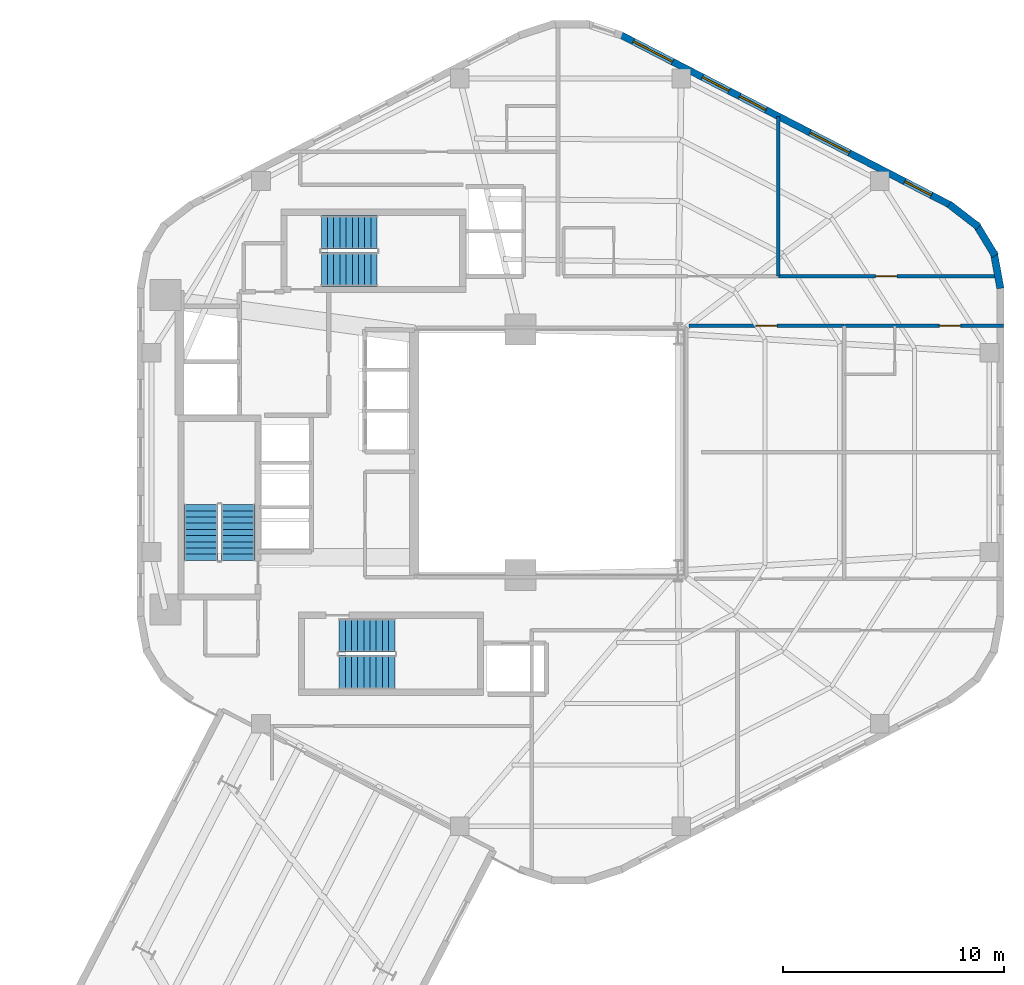
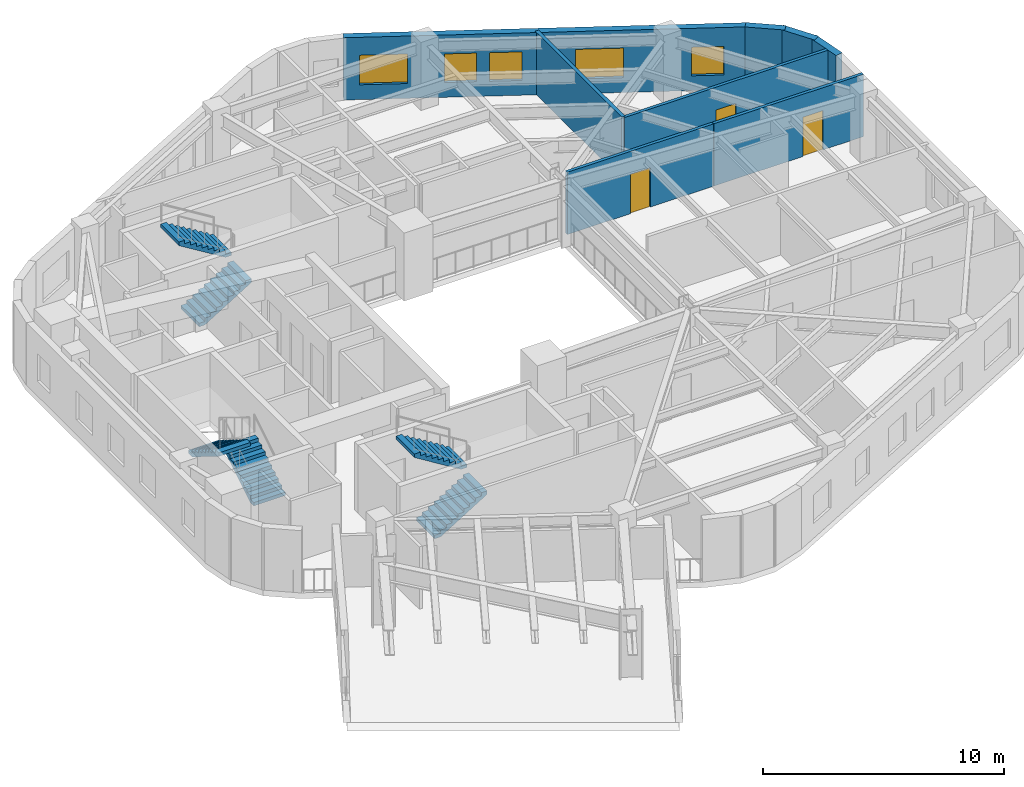
# One storey, part 8 of 9: 8 walls, 6 stair flights, 5 windows, 3 doors, 8 openings, 3 elements without a shape of their own.
"""IFC4 building model written with IfcOpenShell, lengths in metres."""

from ifc_helpers import new_model, si_unit, direction, frame, frame_2d, origin, place, context, subcontext, project, spatial, polyline, rectangle, outline, extrude, material, layer, layer_set, type_object, element, fill, aggregate, save


model = new_model("IFC4")

# Units and contexts
model_context = context("Model", 3, precision=1e-05, world=origin(), true_north=direction((0.0, 1.0)))
body_context = subcontext(model_context, "Body", "Model", "MODEL_VIEW")
ifc_project = project(units=[si_unit("LENGTHUNIT", "METRE"), si_unit("AREAUNIT", "SQUARE_METRE"), si_unit("VOLUMEUNIT", "CUBIC_METRE"), si_unit("PLANEANGLEUNIT", "RADIAN"), si_unit("MASSUNIT", "GRAM", prefix="KILO"), si_unit("THERMODYNAMICTEMPERATUREUNIT", "KELVIN"), si_unit("POWERUNIT", "WATT")], contexts=[model_context])

# Site, building, storey
site_placement = place(None, origin())
site = spatial("IfcSite", under=ifc_project, at=site_placement, CompositionType="ELEMENT")
building_placement = place(site_placement, origin())
building = spatial("IfcBuilding", under=site, at=building_placement, Name="Skarre Station Tower", CompositionType="ELEMENT")
storey_placement = place(building_placement, frame((0.0, 0.0, 174.0)))
storey = spatial("IfcBuildingStorey", under=building, at=storey_placement, Name="L47", CompositionType="ELEMENT", Elevation=174.0)

# Wall, opening, door
ifc_material_1 = material(Name="Acoustic Steel-Stud Gypsum Partition", Category="steel")
ifc_layer_1 = layer(ifc_material_1, 0.14990234375, Name="Acoustic Steel-Stud Gypsum Partition")
ifc_layer_set_1 = layer_set([ifc_layer_1], Name="Acoustic Steel-Stud Gypsum Partition")
wall_type_1 = type_object("IfcWallType", Name="Fire-Rated Corridor Acoustic Partition 150", PredefinedType="PARTITIONING", material=ifc_layer_set_1)
wall_1_placement = place(storey_placement, frame((53.969970703125, 31.9599609375, 0.0), z_axis=(0.0, 0.0, 1.0), x_axis=(-1.0, 0.0, 0.0)))
wall_1 = element("IfcWall", 1, at=wall_1_placement, inside=storey, type_object=wall_type_1, Name="L47 Interior Partition WL-PT-L47-NW2-CW", PredefinedType="PARTITIONING", context=body_context, shape_type="SweptSolid", body=[
    extrude(rectangle(XDim=9.974853515625, YDim=0.14990234375, at=frame_2d((4.9873046875, 0.0))), origin(), (0.0, 0.0, 1.0), 3.159912109375),
])
opening_1_placement = place(wall_1_placement, frame((4.626953125, 0.0, 0.0)))
opening_1 = element("IfcOpeningElement", 2, at=opening_1_placement, cuts=wall_1, Name="Opening DR-FD60", PredefinedType="OPENING", context=body_context, shape_type="SweptSolid", body=[
    extrude(rectangle(XDim=0.9599609375, YDim=2.0, at=frame_2d((0.47998046875, 1.0))), frame((0.0, 0.0849609375, 0.0), z_axis=(0.0, -1.0, 0.0), x_axis=(1.0, 0.0, 0.0)), (0.0, 0.0, 1.0), 0.169921875),
])
ifc_material_2 = material(Name="Nordic White-Oak Veneer Solid-Core Fire Leaf", Category="wood")
door_type = type_object("IfcDoorType", Name="Corridor Suite Entry Fire Door FD60 960x2150", OperationType="SINGLE_SWING_LEFT", PredefinedType="DOOR", material=ifc_material_2)
door_1_placement = place(opening_1_placement, origin())
door_1 = element("IfcDoor", 3, at=door_1_placement, inside=storey, type_object=door_type, Name="L47 NW2 Entry Door", OperationType="SINGLE_SWING_LEFT", OverallHeight=2.0, OverallWidth=0.9599609375, PredefinedType="DOOR", context=body_context, shape_type="SweptSolid", body=[
    extrude(rectangle(XDim=0.9599609375, YDim=2.0, at=frame_2d((0.47998046875, 1.0))), frame((0.0, 0.02490234375, 0.0), z_axis=(0.0, -1.0, 0.0), x_axis=(1.0, 0.0, 0.0)), (0.0, 0.0, 1.0), 0.050048828125),
])
fill(opening_1, door_1)

wall_2_placement = place(storey_placement, frame((39.949951171875, 29.7099609375, 0.0), z_axis=(0.0, 0.0, 1.0), x_axis=(1.0, 0.0, 0.0)))
wall_2 = element("IfcWall", 4, at=wall_2_placement, inside=storey, type_object=wall_type_1, Name="L47 Interior Partition WL-PT-L47-EWN1-CW", PredefinedType="PARTITIONING", context=body_context, shape_type="SweptSolid", body=[
    extrude(rectangle(XDim=7.006103515625, YDim=0.14990234375, at=frame_2d((3.5029296875, 0.0))), origin(), (0.0, 0.0, 1.0), 3.159912109375),
])
opening_2_placement = place(wall_2_placement, frame((3.02294921875, 0.0, 0.0)))
opening_2 = element("IfcOpeningElement", 5, at=opening_2_placement, cuts=wall_2, Name="Opening DR-FD60", PredefinedType="OPENING", context=body_context, shape_type="SweptSolid", body=[
    extrude(rectangle(XDim=0.9599609375, YDim=2.0, at=frame_2d((0.47998046875, 1.0))), frame((0.0, 0.0849609375, 0.0), z_axis=(0.0, -1.0, 0.0), x_axis=(1.0, 0.0, 0.0)), (0.0, 0.0, 1.0), 0.169921875),
])
door_2_placement = place(opening_2_placement, origin())
door_2 = element("IfcDoor", 6, at=door_2_placement, inside=storey, type_object=door_type, Name="L47 EWN1 Entry Door", OperationType="SINGLE_SWING_LEFT", OverallHeight=2.0, OverallWidth=0.9599609375, PredefinedType="DOOR", context=body_context, shape_type="SweptSolid", body=[
    extrude(rectangle(XDim=0.9599609375, YDim=2.0, at=frame_2d((0.47998046875, 1.0))), frame((0.0, 0.02490234375, 0.0), z_axis=(0.0, -1.0, 0.0), x_axis=(1.0, 0.0, 0.0)), (0.0, 0.0, 1.0), 0.050048828125),
])
fill(opening_2, door_2)

wall_3_placement = place(storey_placement, frame((46.986083984375, 29.7099609375, 0.0), z_axis=(0.0, 0.0, 1.0), x_axis=(1.0, 0.0, 0.0)))
wall_3 = element("IfcWall", 7, at=wall_3_placement, inside=storey, type_object=wall_type_1, Name="L47 Interior Partition WL-PT-L47-EWN2-CW", PredefinedType="PARTITIONING", context=body_context, shape_type="SweptSolid", body=[
    extrude(rectangle(XDim=7.176025390625, YDim=0.14990234375, at=frame_2d((3.587890625, 0.0))), origin(), (0.0, 0.0, 1.0), 3.159912109375),
])
opening_3_placement = place(wall_3_placement, frame((4.282958984375, 0.0, 0.0)))
opening_3 = element("IfcOpeningElement", 8, at=opening_3_placement, cuts=wall_3, Name="Opening DR-FD60", PredefinedType="OPENING", context=body_context, shape_type="SweptSolid", body=[
    extrude(rectangle(XDim=0.9599609375, YDim=2.0, at=frame_2d((0.47998046875, 1.0))), frame((0.0, 0.0849609375, 0.0), z_axis=(0.0, -1.0, 0.0), x_axis=(1.0, 0.0, 0.0)), (0.0, 0.0, 1.0), 0.169921875),
])
door_3_placement = place(opening_3_placement, origin())
door_3 = element("IfcDoor", 9, at=door_3_placement, inside=storey, type_object=door_type, Name="L47 EWN2 Entry Door", OperationType="SINGLE_SWING_LEFT", OverallHeight=2.0, OverallWidth=0.9599609375, PredefinedType="DOOR", context=body_context, shape_type="SweptSolid", body=[
    extrude(rectangle(XDim=0.9599609375, YDim=2.0, at=frame_2d((0.47998046875, 1.0))), frame((0.0, 0.02490234375, 0.0), z_axis=(0.0, -1.0, 0.0), x_axis=(1.0, 0.0, 0.0)), (0.0, 0.0, 1.0), 0.050048828125),
])
fill(opening_3, door_3)

# Walls
ifc_material_3 = material(Name="Precast concrete C45/55", Category="concrete")
ifc_layer_2 = layer(ifc_material_3, 0.330078125, Name="Precast concrete C45/55")
ifc_layer_set_2 = layer_set([ifc_layer_2], Name="Precast concrete C45/55")
wall_type_2 = type_object("IfcWallType", Name="Nordic Rounded Corner Precast Wall 330", PredefinedType="STANDARD", material=ifc_layer_set_2)
wall_4_placement = place(storey_placement, frame((51.7109375, 35.199951171875, 0.0), z_axis=(0.0, 0.0, 1.0), x_axis=(0.791464279355, -0.611215423976, 0.0)))
element("IfcWall", 10, at=wall_4_placement, inside=storey, type_object=wall_type_2, Name="L47 Rounded Corner Precast Wall F0-1", PredefinedType="STANDARD", context=body_context, shape_type="SweptSolid", body=[
    extrude(rectangle(XDim=1.6767578125, YDim=0.330078125, at=frame_2d((0.83837890625, 0.0))), origin(), (0.0, 0.0, 1.0), 3.159912109375),
])
wall_5_placement = place(storey_placement, frame((52.912109375, 34.31494140625, 0.0), z_axis=(0.0, 0.0, 1.0), x_axis=(0.520219286058, -0.85403272444, 0.0)))
element("IfcWall", 11, at=wall_5_placement, inside=storey, type_object=wall_type_2, Name="L47 Rounded Corner Precast Wall F0-2", PredefinedType="STANDARD", context=body_context, shape_type="SweptSolid", body=[
    extrude(rectangle(XDim=1.677734375, YDim=0.330078125, at=frame_2d((0.8388671875, 0.0))), origin(), (0.0, 0.0, 1.0), 3.159912109375),
])
wall_6_placement = place(storey_placement, frame((53.718017578125, 33.056884765625, 0.0), z_axis=(0.0, 0.0, 1.0), x_axis=(0.180717642671, -0.983535019014, 0.0)))
element("IfcWall", 12, at=wall_6_placement, inside=storey, type_object=wall_type_2, Name="L47 Rounded Corner Precast Wall F0-3", PredefinedType="STANDARD", context=body_context, shape_type="SweptSolid", body=[
    extrude(rectangle(XDim=1.676513671875, YDim=0.330078125, at=frame_2d((0.83837890625, 0.0))), origin(), (0.0, 0.0, 1.0), 3.159912109375),
])

# Wall, openings, windows
ifc_layer_3 = layer(ifc_material_3, 0.31005859375, Name="Precast concrete C45/55")
ifc_layer_set_3 = layer_set([ifc_layer_3], Name="Precast concrete C45/55")
wall_type_3 = type_object("IfcWallType", Name="Nordic Upper-Zone Precast Facet Wall 310", PredefinedType="STANDARD", material=ifc_layer_set_3)
wall_7_placement = place(storey_placement, frame((36.837890625, 42.87109375, 0.0), z_axis=(0.0, 0.0, 1.0), x_axis=(0.888626188278, -0.458632202867, 0.0)))
wall_7 = element("IfcWall", 13, at=wall_7_placement, inside=storey, type_object=wall_type_3, Name="L47 Facet 0 Nordic Precast Masonry Wall", PredefinedType="STANDARD", context=body_context, shape_type="SweptSolid", body=[
    extrude(rectangle(XDim=16.828369140625, YDim=0.31005859375, at=frame_2d((8.4140625, 0.0))), origin(), (0.0, 0.0, 1.0), 3.159912109375),
])
opening_4_placement = place(wall_7_placement, frame((0.675048828125, 0.0, 0.75)))
opening_4 = element("IfcOpeningElement", 14, at=opening_4_placement, cuts=wall_7, Name="Opening WN-Z3A", PredefinedType="OPENING", context=body_context, shape_type="SweptSolid", body=[
    extrude(rectangle(XDim=2.0, YDim=1.5, at=frame_2d((1.0, 0.75))), frame((0.0, 0.1650390625, 0.0), z_axis=(0.0, -1.0, 0.0), x_axis=(1.0, 0.0, 0.0)), (0.0, 0.0, 1.0), 0.330078125),
])
opening_5_placement = place(wall_7_placement, frame((4.196044921875, 0.0, 0.75)))
opening_5 = element("IfcOpeningElement", 15, at=opening_5_placement, cuts=wall_7, Name="Opening WN-Z3B", PredefinedType="OPENING", context=body_context, shape_type="SweptSolid", body=[
    extrude(rectangle(XDim=1.35009765625, YDim=1.449951171875, at=frame_2d((0.675048828125, 0.72509765625))), frame((0.0, 0.1650390625, 0.0), z_axis=(0.0, -1.0, 0.0), x_axis=(1.0, 0.0, 0.0)), (0.0, 0.0, 1.0), 0.330078125),
])
opening_6_placement = place(wall_7_placement, frame((6.077880859375, 0.0, 0.75)))
opening_6 = element("IfcOpeningElement", 16, at=opening_6_placement, cuts=wall_7, Name="Opening WN-Z3B", PredefinedType="OPENING", context=body_context, shape_type="SweptSolid", body=[
    extrude(rectangle(XDim=1.35009765625, YDim=1.449951171875, at=frame_2d((0.675048828125, 0.72509765625))), frame((0.0, 0.1650390625, 0.0), z_axis=(0.0, -1.0, 0.0), x_axis=(1.0, 0.0, 0.0)), (0.0, 0.0, 1.0), 0.330078125),
])
opening_7_placement = place(wall_7_placement, frame((9.657958984375, 0.0, 0.75)))
opening_7 = element("IfcOpeningElement", 17, at=opening_7_placement, cuts=wall_7, Name="Opening WN-Z3A", PredefinedType="OPENING", context=body_context, shape_type="SweptSolid", body=[
    extrude(rectangle(XDim=2.0, YDim=1.5, at=frame_2d((1.0, 0.75))), frame((0.0, 0.1650390625, 0.0), z_axis=(0.0, -1.0, 0.0), x_axis=(1.0, 0.0, 0.0)), (0.0, 0.0, 1.0), 0.330078125),
])
opening_8_placement = place(wall_7_placement, frame((14.47802734375, 0.0, 0.75)))
opening_8 = element("IfcOpeningElement", 18, at=opening_8_placement, cuts=wall_7, Name="Opening WN-Z3B", PredefinedType="OPENING", context=body_context, shape_type="SweptSolid", body=[
    extrude(rectangle(XDim=1.35009765625, YDim=1.449951171875, at=frame_2d((0.675048828125, 0.72509765625))), frame((0.0, 0.1650390625, 0.0), z_axis=(0.0, -1.0, 0.0), x_axis=(1.0, 0.0, 0.0)), (0.0, 0.0, 1.0), 0.330078125),
])
ifc_material_4 = material(Name="Low-Iron Triple Glazing with Bronze Anodized Frame", Category="glass")
window_type_1 = type_object("IfcWindowType", Name="Nordic Hospitality Narrow Window 1350x1450", PartitioningType="SINGLE_PANEL", PredefinedType="WINDOW", material=ifc_material_4)
window_1_placement = place(opening_5_placement, origin())
window_1 = element("IfcWindow", 19, at=window_1_placement, inside=storey, type_object=window_type_1, Name="L47 Facade Window WL-FAC-L47-F0-2", OverallHeight=1.449951171875, OverallWidth=1.35009765625, PartitioningType="SINGLE_PANEL", PredefinedType="WINDOW", context=body_context, shape_type="SweptSolid", body=[
    extrude(rectangle(XDim=1.35009765625, YDim=1.449951171875, at=frame_2d((0.675048828125, 0.72509765625))), frame((0.0, 0.030029296875, 0.0), z_axis=(0.0, -1.0, 0.0), x_axis=(1.0, 0.0, 0.0)), (0.0, 0.0, 1.0), 0.06005859375),
])
fill(opening_5, window_1)
window_2_placement = place(opening_6_placement, origin())
window_2 = element("IfcWindow", 20, at=window_2_placement, inside=storey, type_object=window_type_1, Name="L47 Facade Window WL-FAC-L47-F0-3", OverallHeight=1.449951171875, OverallWidth=1.35009765625, PartitioningType="SINGLE_PANEL", PredefinedType="WINDOW", context=body_context, shape_type="SweptSolid", body=[
    extrude(rectangle(XDim=1.35009765625, YDim=1.449951171875, at=frame_2d((0.675048828125, 0.72509765625))), frame((0.0, 0.030029296875, 0.0), z_axis=(0.0, -1.0, 0.0), x_axis=(1.0, 0.0, 0.0)), (0.0, 0.0, 1.0), 0.06005859375),
])
fill(opening_6, window_2)
window_3_placement = place(opening_8_placement, origin())
window_3 = element("IfcWindow", 21, at=window_3_placement, inside=storey, type_object=window_type_1, Name="L47 Facade Window WL-FAC-L47-F0-5", OverallHeight=1.449951171875, OverallWidth=1.35009765625, PartitioningType="SINGLE_PANEL", PredefinedType="WINDOW", context=body_context, shape_type="SweptSolid", body=[
    extrude(rectangle(XDim=1.35009765625, YDim=1.449951171875, at=frame_2d((0.675048828125, 0.72509765625))), frame((0.0, 0.030029296875, 0.0), z_axis=(0.0, -1.0, 0.0), x_axis=(1.0, 0.0, 0.0)), (0.0, 0.0, 1.0), 0.06005859375),
])
fill(opening_8, window_3)
window_type_2 = type_object("IfcWindowType", Name="Nordic Hospitality Window 2000x1500", PartitioningType="SINGLE_PANEL", PredefinedType="WINDOW", material=ifc_material_4)
window_4_placement = place(opening_4_placement, origin())
window_4 = element("IfcWindow", 22, at=window_4_placement, inside=storey, type_object=window_type_2, Name="L47 Facade Window WL-FAC-L47-F0-1", OverallHeight=1.5, OverallWidth=2.0, PartitioningType="SINGLE_PANEL", PredefinedType="WINDOW", context=body_context, shape_type="SweptSolid", body=[
    extrude(rectangle(XDim=2.0, YDim=1.5, at=frame_2d((1.0, 0.75))), frame((0.0, 0.030029296875, 0.0), z_axis=(0.0, -1.0, 0.0), x_axis=(1.0, 0.0, 0.0)), (0.0, 0.0, 1.0), 0.06005859375),
])
fill(opening_4, window_4)
window_5_placement = place(opening_7_placement, origin())
window_5 = element("IfcWindow", 23, at=window_5_placement, inside=storey, type_object=window_type_2, Name="L47 Facade Window WL-FAC-L47-F0-4", OverallHeight=1.5, OverallWidth=2.0, PartitioningType="SINGLE_PANEL", PredefinedType="WINDOW", context=body_context, shape_type="SweptSolid", body=[
    extrude(rectangle(XDim=2.0, YDim=1.5, at=frame_2d((1.0, 0.75))), frame((0.0, 0.030029296875, 0.0), z_axis=(0.0, -1.0, 0.0), x_axis=(1.0, 0.0, 0.0)), (0.0, 0.0, 1.0), 0.06005859375),
])
fill(opening_7, window_5)

# Wall
ifc_layer_4 = layer(ifc_material_1, 0.1650390625, Name="Acoustic Steel-Stud Gypsum Partition")
ifc_layer_set_4 = layer_set([ifc_layer_4], Name="Acoustic Steel-Stud Gypsum Partition")
wall_type_4 = type_object("IfcWallType", Name="Suite Demising Acoustic Partition 165", PredefinedType="PARTITIONING", material=ifc_layer_set_4)
wall_8_placement = place(storey_placement, frame((43.989990234375, 31.969970703125, 0.0), z_axis=(0.0, 0.0, 1.0), x_axis=(0.0, 1.0, 0.0)))
element("IfcWall", 24, at=wall_8_placement, inside=storey, type_object=wall_type_4, Name="L47 Interior Partition WL-PT-L47-NW-P1", PredefinedType="PARTITIONING", context=body_context, shape_type="SweptSolid", body=[
    extrude(rectangle(XDim=7.193115234375, YDim=0.1650390625, at=frame_2d((3.5966796875, 0.0))), origin(), (0.0, 0.0, 1.0), 3.159912109375),
])

# Stair, stair flights
ifc_material_5 = material(Name="Concrete C40/50", Category="concrete")
stair_type_1 = type_object("IfcStairType", Name="Reinforced Concrete Exit Stair ST-1", PredefinedType="HALF_TURN_STAIR", material=ifc_material_5)
stair_1_placement = place(storey_placement, origin())
stair_1 = element("IfcStair", 25, at=stair_1_placement, inside=storey, type_object=stair_type_1, Name="L47 Core Exit Stair ST-1", PredefinedType="HALF_TURN_STAIR")
stair_flight_type_1 = type_object("IfcStairFlightType", Name="Reinforced Concrete Stair Flight ST-1", PredefinedType="STRAIGHT", material=ifc_material_5)
stair_flight_1_placement = place(storey_placement, frame((19.590087890625, 19.1201171875, 0.0), z_axis=(0.0, 0.0, 1.0), x_axis=(0.0, 1.0, 0.0)))
stair_flight_1 = element("IfcStairFlight", 26, at=stair_flight_1_placement, type_object=stair_flight_type_1, Name="ST-1 flight 1", NumberOfRisers=10, NumberOfTreads=9, PredefinedType="STRAIGHT", RiserHeight=0.1725, TreadLength=0.28, context=body_context, shape_type="SweptSolid", body=[
    extrude(outline(polyline([(0.0, 0.0), (0.0, 0.172607421875), (0.280029296875, 0.172607421875), (0.280029296875, 0.344970703125), (0.56005859375, 0.344970703125), (0.56005859375, 0.517578125), (0.840087890625, 0.517578125), (0.840087890625, 0.68994140625), (1.1201171875, 0.68994140625), (1.1201171875, 0.862548828125), (1.39990234375, 0.862548828125), (1.39990234375, 1.034912109375), (1.679931640625, 1.034912109375), (1.679931640625, 1.20751953125), (1.9599609375, 1.20751953125), (1.9599609375, 1.3798828125), (2.239990234375, 1.3798828125), (2.239990234375, 1.552490234375), (2.52001953125, 1.552490234375), (2.52001953125, 1.72509765625), (2.52001953125, 1.37646484375), (0.285888671875, 0.0), (0.0, 0.0)])), frame((0.0, 0.760009765625, 0.0), z_axis=(0.0, -1.0, 0.0), x_axis=(1.0, 0.0, 0.0)), (0.0, 0.0, 1.0), 1.52001953125),
])
stair_flight_2_placement = place(storey_placement, frame((17.909912109375, 21.639892578125, 1.72509765625), z_axis=(0.0, 0.0, 1.0), x_axis=(0.0, -1.0, 0.0)))
stair_flight_2 = element("IfcStairFlight", 27, at=stair_flight_2_placement, type_object=stair_flight_type_1, Name="ST-1 flight 2", NumberOfRisers=10, NumberOfTreads=9, PredefinedType="STRAIGHT", RiserHeight=0.1725, TreadLength=0.28, context=body_context, shape_type="SweptSolid", body=[
    extrude(outline(polyline([(0.0, 0.0), (0.0, 0.172607421875), (0.280029296875, 0.172607421875), (0.280029296875, 0.344970703125), (0.56005859375, 0.344970703125), (0.56005859375, 0.517578125), (0.840087890625, 0.517578125), (0.840087890625, 0.68994140625), (1.1201171875, 0.68994140625), (1.1201171875, 0.862548828125), (1.39990234375, 0.862548828125), (1.39990234375, 1.034912109375), (1.679931640625, 1.034912109375), (1.679931640625, 1.20751953125), (1.9599609375, 1.20751953125), (1.9599609375, 1.3798828125), (2.239990234375, 1.3798828125), (2.239990234375, 1.552490234375), (2.52001953125, 1.552490234375), (2.52001953125, 1.72509765625), (2.52001953125, 1.37646484375), (0.285888671875, 0.0), (0.0, 0.0)])), frame((0.0, 0.760009765625, 0.0), z_axis=(0.0, -1.0, 0.0), x_axis=(1.0, 0.0, 0.0)), (0.0, 0.0, 1.0), 1.52001953125),
])
aggregate(stair_1, [stair_flight_1, stair_flight_2])

stair_type_2 = type_object("IfcStairType", Name="Reinforced Concrete Exit Stair ST-2", PredefinedType="HALF_TURN_STAIR", material=ifc_material_5)
stair_2_placement = place(storey_placement, origin())
stair_2 = element("IfcStair", 28, at=stair_2_placement, inside=storey, type_object=stair_type_2, Name="L47 Core Exit Stair ST-2", PredefinedType="HALF_TURN_STAIR")
stair_flight_type_2 = type_object("IfcStairFlightType", Name="Reinforced Concrete Stair Flight ST-2", PredefinedType="STRAIGHT", material=ifc_material_5)
stair_flight_3_placement = place(storey_placement, frame((24.14990234375, 14.06005859375, 0.0), z_axis=(0.0, 0.0, 1.0), x_axis=(1.0, 0.0, 0.0)))
stair_flight_3 = element("IfcStairFlight", 29, at=stair_flight_3_placement, type_object=stair_flight_type_2, Name="ST-2 flight 1", NumberOfRisers=10, NumberOfTreads=9, PredefinedType="STRAIGHT", RiserHeight=0.1725, TreadLength=0.28, context=body_context, shape_type="SweptSolid", body=[
    extrude(outline(polyline([(0.0, 0.0), (0.0, 0.172607421875), (0.280029296875, 0.172607421875), (0.280029296875, 0.344970703125), (0.56005859375, 0.344970703125), (0.56005859375, 0.517578125), (0.840087890625, 0.517578125), (0.840087890625, 0.68994140625), (1.1201171875, 0.68994140625), (1.1201171875, 0.862548828125), (1.39990234375, 0.862548828125), (1.39990234375, 1.034912109375), (1.679931640625, 1.034912109375), (1.679931640625, 1.20751953125), (1.9599609375, 1.20751953125), (1.9599609375, 1.3798828125), (2.239990234375, 1.3798828125), (2.239990234375, 1.552490234375), (2.52001953125, 1.552490234375), (2.52001953125, 1.72509765625), (2.52001953125, 1.37646484375), (0.285888671875, 0.0), (0.0, 0.0)])), frame((0.0, 0.760009765625, 0.0), z_axis=(0.0, -1.0, 0.0), x_axis=(1.0, 0.0, 0.0)), (0.0, 0.0, 1.0), 1.52001953125),
])
stair_flight_4_placement = place(storey_placement, frame((26.669921875, 15.739990234375, 1.72509765625), z_axis=(0.0, 0.0, 1.0), x_axis=(-1.0, 0.0, 0.0)))
stair_flight_4 = element("IfcStairFlight", 30, at=stair_flight_4_placement, type_object=stair_flight_type_2, Name="ST-2 flight 2", NumberOfRisers=10, NumberOfTreads=9, PredefinedType="STRAIGHT", RiserHeight=0.1725, TreadLength=0.28, context=body_context, shape_type="SweptSolid", body=[
    extrude(outline(polyline([(0.0, 0.0), (0.0, 0.172607421875), (0.280029296875, 0.172607421875), (0.280029296875, 0.344970703125), (0.56005859375, 0.344970703125), (0.56005859375, 0.517578125), (0.840087890625, 0.517578125), (0.840087890625, 0.68994140625), (1.1201171875, 0.68994140625), (1.1201171875, 0.862548828125), (1.39990234375, 0.862548828125), (1.39990234375, 1.034912109375), (1.679931640625, 1.034912109375), (1.679931640625, 1.20751953125), (1.9599609375, 1.20751953125), (1.9599609375, 1.3798828125), (2.239990234375, 1.3798828125), (2.239990234375, 1.552490234375), (2.52001953125, 1.552490234375), (2.52001953125, 1.72509765625), (2.52001953125, 1.37646484375), (0.285888671875, 0.0), (0.0, 0.0)])), frame((0.0, 0.760009765625, 0.0), z_axis=(0.0, -1.0, 0.0), x_axis=(1.0, 0.0, 0.0)), (0.0, 0.0, 1.0), 1.52001953125),
])
aggregate(stair_2, [stair_flight_3, stair_flight_4])

stair_type_3 = type_object("IfcStairType", Name="Reinforced Concrete Exit Stair ST-3", PredefinedType="HALF_TURN_STAIR", material=ifc_material_5)
stair_3_placement = place(storey_placement, origin())
stair_3 = element("IfcStair", 31, at=stair_3_placement, inside=storey, type_object=stair_type_3, Name="L47 Core Exit Stair ST-3", PredefinedType="HALF_TURN_STAIR")
stair_flight_type_3 = type_object("IfcStairFlightType", Name="Reinforced Concrete Stair Flight ST-3", PredefinedType="STRAIGHT", material=ifc_material_5)
stair_flight_5_placement = place(storey_placement, frame((23.35009765625, 32.260009765625, 0.0), z_axis=(0.0, 0.0, 1.0), x_axis=(1.0, 0.0, 0.0)))
stair_flight_5 = element("IfcStairFlight", 32, at=stair_flight_5_placement, type_object=stair_flight_type_3, Name="ST-3 flight 1", NumberOfRisers=10, NumberOfTreads=9, PredefinedType="STRAIGHT", RiserHeight=0.1725, TreadLength=0.28, context=body_context, shape_type="SweptSolid", body=[
    extrude(outline(polyline([(0.0, 0.0), (0.0, 0.172607421875), (0.280029296875, 0.172607421875), (0.280029296875, 0.344970703125), (0.56005859375, 0.344970703125), (0.56005859375, 0.517578125), (0.840087890625, 0.517578125), (0.840087890625, 0.68994140625), (1.1201171875, 0.68994140625), (1.1201171875, 0.862548828125), (1.39990234375, 0.862548828125), (1.39990234375, 1.034912109375), (1.679931640625, 1.034912109375), (1.679931640625, 1.20751953125), (1.9599609375, 1.20751953125), (1.9599609375, 1.3798828125), (2.239990234375, 1.3798828125), (2.239990234375, 1.552490234375), (2.52001953125, 1.552490234375), (2.52001953125, 1.72509765625), (2.52001953125, 1.37646484375), (0.285888671875, 0.0), (0.0, 0.0)])), frame((0.0, 0.760009765625, 0.0), z_axis=(0.0, -1.0, 0.0), x_axis=(1.0, 0.0, 0.0)), (0.0, 0.0, 1.0), 1.52001953125),
])
stair_flight_6_placement = place(storey_placement, frame((25.8701171875, 33.93994140625, 1.72509765625), z_axis=(0.0, 0.0, 1.0), x_axis=(-1.0, 0.0, 0.0)))
stair_flight_6 = element("IfcStairFlight", 33, at=stair_flight_6_placement, type_object=stair_flight_type_3, Name="ST-3 flight 2", NumberOfRisers=10, NumberOfTreads=9, PredefinedType="STRAIGHT", RiserHeight=0.1725, TreadLength=0.28, context=body_context, shape_type="SweptSolid", body=[
    extrude(outline(polyline([(0.0, 0.0), (0.0, 0.172607421875), (0.280029296875, 0.172607421875), (0.280029296875, 0.344970703125), (0.56005859375, 0.344970703125), (0.56005859375, 0.517578125), (0.840087890625, 0.517578125), (0.840087890625, 0.68994140625), (1.1201171875, 0.68994140625), (1.1201171875, 0.862548828125), (1.39990234375, 0.862548828125), (1.39990234375, 1.034912109375), (1.679931640625, 1.034912109375), (1.679931640625, 1.20751953125), (1.9599609375, 1.20751953125), (1.9599609375, 1.3798828125), (2.239990234375, 1.3798828125), (2.239990234375, 1.552490234375), (2.52001953125, 1.552490234375), (2.52001953125, 1.72509765625), (2.52001953125, 1.37646484375), (0.285888671875, 0.0), (0.0, 0.0)])), frame((0.0, 0.760009765625, 0.0), z_axis=(0.0, -1.0, 0.0), x_axis=(1.0, 0.0, 0.0)), (0.0, 0.0, 1.0), 1.52001953125),
])
aggregate(stair_3, [stair_flight_5, stair_flight_6])

save(model, "model.ifc")
